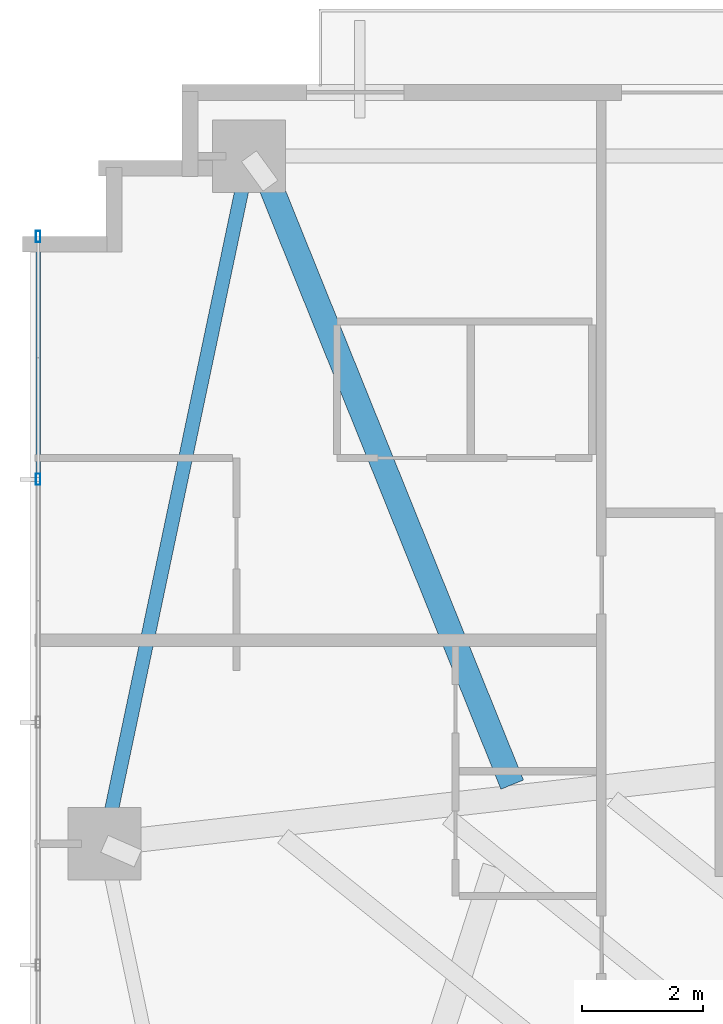
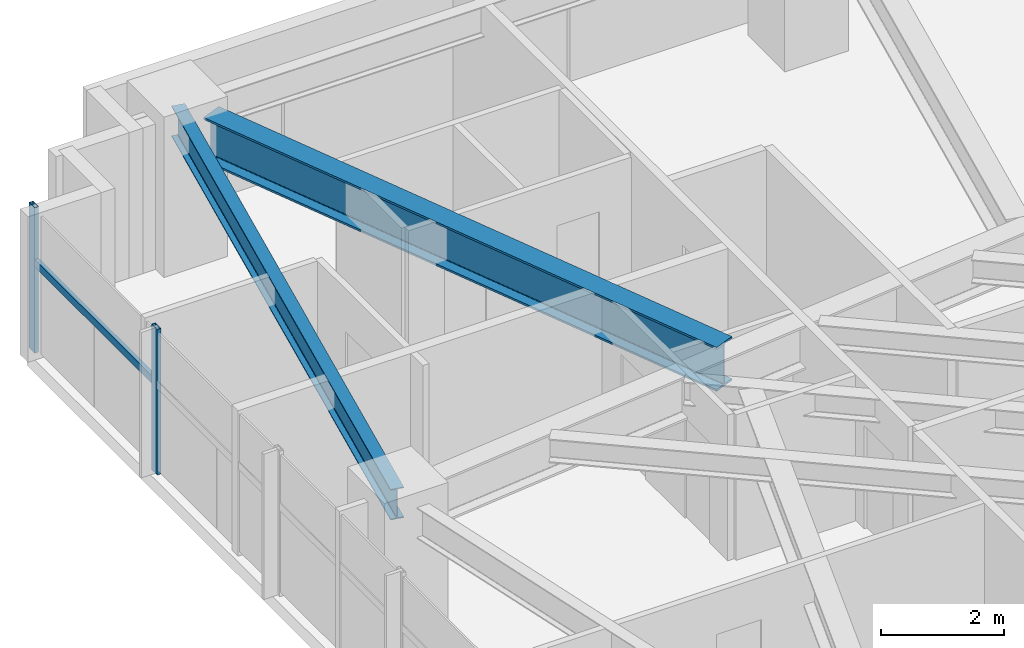
# One storey, part 8 of 25: 3 members, 2 beams, 1 element without a shape of its own.
"""IFC4 building model written with IfcOpenShell, lengths in metres."""

from ifc_helpers import new_model, si_unit, direction, frame, origin, origin_2d, place, context, subcontext, project, spatial, hollow_rectangle, i_section, extrude, source, transform, mapped, material, material_profile, profile_set, type_object, type_shapes, element, aggregate, save


model = new_model("IFC4")

# Units and contexts
model_context = context("Model", 3, precision=1e-05, world=origin(), true_north=direction((0.0, 1.0)))
body_context = subcontext(model_context, "Body", "Model", "MODEL_VIEW")
ifc_project = project(units=[si_unit("LENGTHUNIT", "METRE"), si_unit("AREAUNIT", "SQUARE_METRE"), si_unit("VOLUMEUNIT", "CUBIC_METRE"), si_unit("PLANEANGLEUNIT", "RADIAN"), si_unit("MASSUNIT", "GRAM", prefix="KILO")], contexts=[model_context])

# Site, building, storey
site_placement = place(None, origin())
site = spatial("IfcSite", under=ifc_project, at=site_placement, CompositionType="ELEMENT")
building_placement = place(site_placement, origin())
building = spatial("IfcBuilding", under=site, at=building_placement, Name="Astriad Promenade Condominiums", CompositionType="ELEMENT")
storey_placement = place(building_placement, frame((0.0, 0.0, 64.60009765625)))
storey = spatial("IfcBuildingStorey", under=building, at=storey_placement, Name="L18", CompositionType="ELEMENT", Elevation=64.60009765625)

# Beams
ifc_material_1 = material(Name="Steel ASTM A992 Grade 50", Category="steel")
ifc_material_profile_1 = material_profile(ifc_material_1, i_section(OverallWidth=0.22900390625, OverallDepth=0.612060546875, WebThickness=0.011962890625, FlangeThickness=0.01953125, FilletRadius=0.017822265625, at=origin_2d()), Name="W24X84")
ifc_profile_set_1 = profile_set([ifc_material_profile_1], Name="Steel ASTM A992 Grade 50")
beam_type_1 = type_object("IfcBeamType", Name="STEEL SPANDREL BEAM W24X84", PredefinedType="SPANDREL", material=ifc_profile_set_1)
shared_shape_1 = source(origin(), body_context, "Body", "SweptSolid", [
    extrude(i_section(OverallWidth=0.22900390625, OverallDepth=0.612060546875, WebThickness=0.011962890625, FlangeThickness=0.01953125, FilletRadius=0.017822265625, at=origin_2d()), origin(), (0.0, 0.0, 1.0), 11.48779296875),
])
type_shapes(beam_type_1, [shared_shape_1])
beam_1_placement = place(storey_placement, frame((9.391845703125, 26.48095703125, 2.593994140625), z_axis=(-0.205743776427, -0.978605895374, 0.0), x_axis=(0.978605895374, -0.205743776427, 0.0)))
element("IfcBeam", 1, at=beam_1_placement, inside=storey, type_object=beam_type_1, Name="Perimeter Spandrel Beam SP-W2-L18", PredefinedType="SPANDREL", context=body_context, shape_type="MappedRepresentation", body=[
    mapped(shared_shape_1, transform((0.0, 0.0, 0.0), scale=1.0)),
])
ifc_material_profile_2 = material_profile(ifc_material_1, i_section(OverallWidth=0.4013671875, OverallDepth=0.877197265625, WebThickness=0.022216796875, FlangeThickness=0.039794921875, FilletRadius=0.02294921875, at=origin_2d()), Name="W33X263")
ifc_profile_set_2 = profile_set([ifc_material_profile_2], Name="Steel ASTM A992 Grade 50")
beam_type_2 = type_object("IfcBeamType", Name="STEEL TRANSFER CARRIER GIRDER W33X263", PredefinedType="BEAM", material=ifc_profile_set_2)
shared_shape_2 = source(origin(), body_context, "Body", "SweptSolid", [
    extrude(i_section(OverallWidth=0.4013671875, OverallDepth=0.877197265625, WebThickness=0.022216796875, FlangeThickness=0.039794921875, FilletRadius=0.02294921875, at=origin_2d()), origin(), (0.0, 0.0, 1.0), 10.632568359375),
])
type_shapes(beam_type_2, [shared_shape_2])
beam_2_placement = place(storey_placement, frame((13.733154296875, 16.173583984375, 2.461181640625), z_axis=(-0.374270939641, 0.927319396832, 0.0), x_axis=(-0.927319396832, -0.374270939641, 0.0)))
element("IfcBeam", 2, at=beam_2_placement, inside=storey, type_object=beam_type_2, Name="Transfer Splice Carrier TRM-SP-PC06-L18", PredefinedType="BEAM", context=body_context, shape_type="MappedRepresentation", body=[
    mapped(shared_shape_2, transform((0.0, 0.0, 0.0), scale=1.0)),
])

# Curtain wall, members
ifc_material_2 = material(Name="Anodised aluminium Black Dark Glass Unitised", Category="aluminium")
curtain_wall_type = type_object("IfcCurtainWallType", Name="CW-B1-DARK", PredefinedType="USERDEFINED", material=ifc_material_2)
curtain_wall_placement = place(storey_placement, origin())
curtain_wall = element("IfcCurtainWall", 3, at=curtain_wall_placement, inside=storey, type_object=curtain_wall_type, Name="CW-L18-W", ObjectType="UNITISED_CURTAIN_WALL", PredefinedType="USERDEFINED")
ifc_material_3 = material(Name="Anodised aluminium 6063-T6 Black", Category="aluminium")
ifc_material_profile_3 = material_profile(ifc_material_3, hollow_rectangle(XDim=0.074951171875, YDim=0.14990234375, WallThickness=0.004150390625, at=origin_2d()), Name="ALU-TRN-75X150")
ifc_profile_set_3 = profile_set([ifc_material_profile_3], Name="Anodised aluminium 6063-T6 Black")
member_type_1 = type_object("IfcMemberType", Name="TRN-ALU-TRN-75X150", PredefinedType="USERDEFINED", material=ifc_profile_set_3)
shared_shape_3 = source(origin(), body_context, "Body", "SweptSolid", [
    extrude(hollow_rectangle(XDim=0.074951171875, YDim=0.14990234375, WallThickness=0.004150390625, at=origin_2d()), origin(), (0.0, 0.0, 1.0), 4.0),
])
type_shapes(member_type_1, [shared_shape_3])
member_1_placement = place(storey_placement, frame((5.929931640625, 21.199951171875, 1.7978515625), z_axis=(0.0, 1.0, 0.0), x_axis=(-1.0, 0.0, 0.0)))
member_1 = element("IfcMember", 4, at=member_1_placement, type_object=member_type_1, Name="CW-L18-W-TRN-04-0", ObjectType="TRANSOM", PredefinedType="USERDEFINED", context=body_context, shape_type="MappedRepresentation", body=[
    mapped(shared_shape_3, transform((0.0, 0.0, 0.0), scale=1.0)),
])
ifc_material_profile_4 = material_profile(ifc_material_3, hollow_rectangle(XDim=0.074951171875, YDim=0.18505859375, WallThickness=0.00439453125, at=origin_2d()), Name="ALU-MUL-75X185")
ifc_profile_set_4 = profile_set([ifc_material_profile_4], Name="Anodised aluminium 6063-T6 Black")
member_type_2 = type_object("IfcMemberType", Name="MUL-ALU-MUL-75X185", PredefinedType="MULLION", material=ifc_profile_set_4)
shared_shape_4 = source(origin(), body_context, "Body", "SweptSolid", [
    extrude(hollow_rectangle(XDim=0.074951171875, YDim=0.18505859375, WallThickness=0.00439453125, at=origin_2d()), origin(), (0.0, 0.0, 1.0), 2.89990234375),
])
type_shapes(member_type_2, [shared_shape_4])
member_2_placement = place(storey_placement, frame((5.929931640625, 21.199951171875, 0.0), z_axis=(0.0, 0.0, 1.0), x_axis=(1.0, 0.0, 0.0)))
member_2 = element("IfcMember", 5, at=member_2_placement, type_object=member_type_2, Name="CW-L18-W-MUL-04", PredefinedType="MULLION", context=body_context, shape_type="MappedRepresentation", body=[
    mapped(shared_shape_4, transform((0.0, 0.0, 0.0), scale=1.0)),
])
member_3_placement = place(storey_placement, frame((5.929931640625, 25.199951171875, 0.0), z_axis=(0.0, 0.0, 1.0), x_axis=(1.0, 0.0, 0.0)))
member_3 = element("IfcMember", 6, at=member_3_placement, type_object=member_type_2, Name="CW-L18-W-MUL-05", PredefinedType="MULLION", context=body_context, shape_type="MappedRepresentation", body=[
    mapped(shared_shape_4, transform((0.0, 0.0, 0.0), scale=1.0)),
])
aggregate(curtain_wall, [member_2, member_3, member_1])

save(model, "model.ifc")
